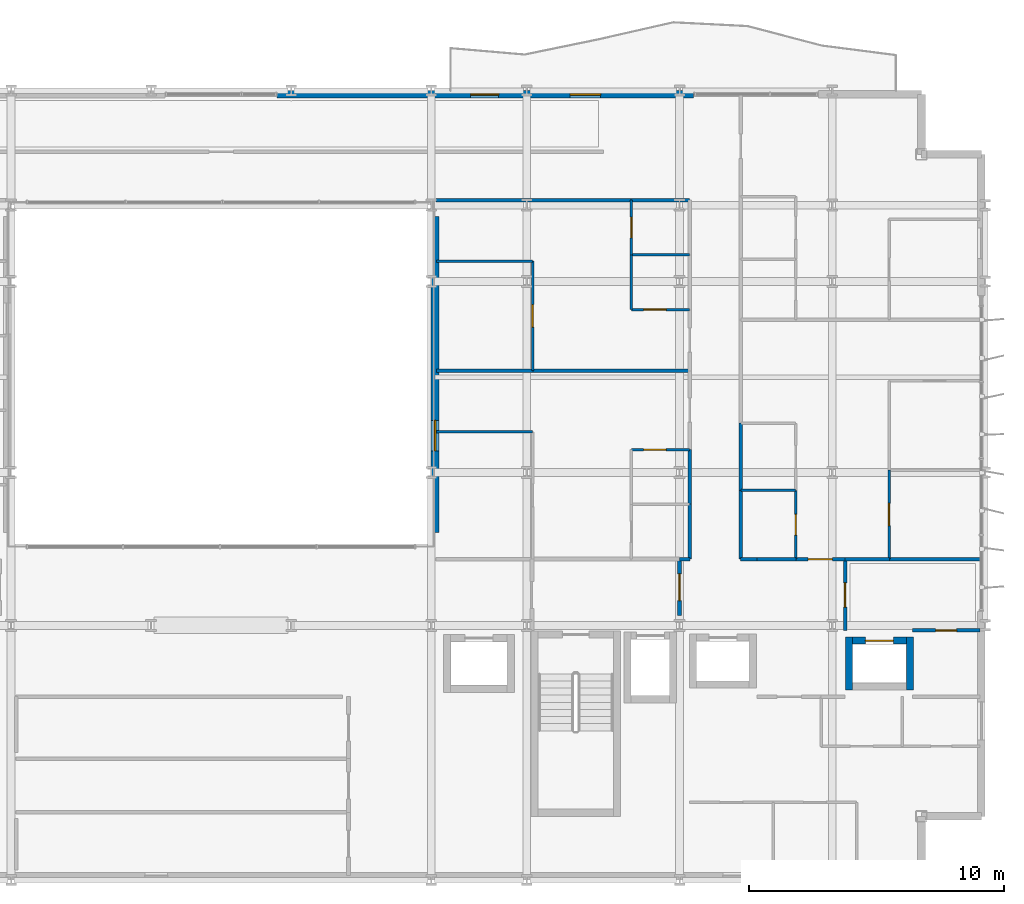
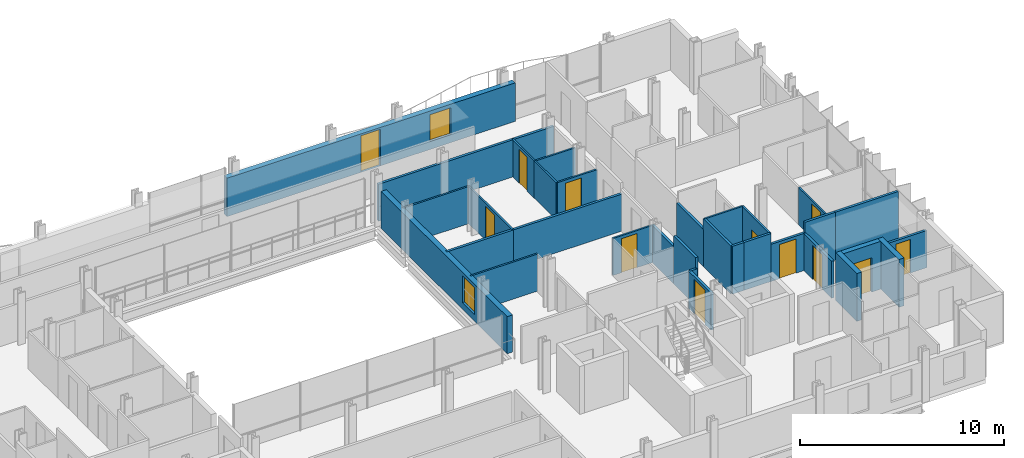
# One storey, part 31 of 38: 33 walls, 12 doors, 2 windows, 14 openings.
"""IFC4 building model written with IfcOpenShell, lengths in metres."""

from ifc_helpers import new_model, si_unit, direction, frame, frame_2d, origin, place, context, subcontext, project, spatial, rectangle, extrude, material, layer, layer_set, type_object, element, fill, save


model = new_model("IFC4")

# Units and contexts
model_context = context("Model", 3, precision=1e-05, world=origin(), true_north=direction((0.0, 1.0)))
body_context = subcontext(model_context, "Body", "Model", "MODEL_VIEW")
ifc_project = project(units=[si_unit("LENGTHUNIT", "METRE"), si_unit("AREAUNIT", "SQUARE_METRE"), si_unit("VOLUMEUNIT", "CUBIC_METRE"), si_unit("PLANEANGLEUNIT", "RADIAN"), si_unit("MASSUNIT", "GRAM", prefix="KILO")], contexts=[model_context])

# Site, building, storey
site_placement = place(None, origin())
site = spatial("IfcSite", under=ifc_project, at=site_placement, CompositionType="ELEMENT")
building_placement = place(site_placement, origin())
building = spatial("IfcBuilding", under=site, at=building_placement, Name="Brevholm Reach", CompositionType="ELEMENT")
storey_placement = place(building_placement, frame((0.0, 0.0, 59.0)))
storey = spatial("IfcBuildingStorey", under=building, at=storey_placement, Name="L16", CompositionType="ELEMENT", Elevation=59.0)

# Walls
ifc_material_1 = material(Name="Concrete C50/60", Category="concrete")
ifc_layer_1 = layer(ifc_material_1, 0.280029296875)
ifc_layer_set_1 = layer_set([ifc_layer_1], Name="Concrete C50/60")
wall_type_1 = type_object("IfcWallType", Name="WAL-COR-280", PredefinedType="SHEAR", material=ifc_layer_set_1)
for number, where, z_axis, x_axis, name in (
    (1, (54.64990234375, 7.4599609375, 0.0), (0.0, 0.0, 1.0), (0.0, 1.0, 0.0), "L16 Lift PL-L2 Shaft Wall W"),
    (2, (57.050048828125, 7.4599609375, 0.0), (0.0, 0.0, 1.0), (0.0, 1.0, 0.0), "L16 Lift PL-L2 Shaft Wall E"),
):
    element("IfcWall", number, at=place(storey_placement, frame(where, z_axis=z_axis, x_axis=x_axis)), inside=storey, type_object=wall_type_1, Name=name, PredefinedType="SHEAR", context=body_context, shape_type="SweptSolid", body=[
        extrude(rectangle(XDim=2.080078125, YDim=0.280029296875, at=frame_2d((1.0400390625, 0.0))), origin(), (0.0, 0.0, 1.0), 2.8701171875),
    ])

# Wall, opening, door
wall_1_placement = place(storey_placement, frame((54.7900390625, 9.39990234375, 0.0), z_axis=(0.0, 0.0, 1.0), x_axis=(1.0, 0.0, 0.0)))
wall_1 = element("IfcWall", 3, at=wall_1_placement, inside=storey, type_object=wall_type_1, Name="L16 Lift PL-L2 Shaft Wall N", PredefinedType="SHEAR", context=body_context, shape_type="SweptSolid", body=[
    extrude(rectangle(XDim=2.119873046875, YDim=0.280029296875, at=frame_2d((1.06005859375, 0.0))), origin(), (0.0, 0.0, 1.0), 2.8701171875),
])
opening_1_placement = place(wall_1_placement, frame((0.510009765625, 0.0, 0.0)))
opening_1 = element("IfcOpeningElement", 4, at=opening_1_placement, cuts=wall_1, Name="Opening LD-PL-L2", PredefinedType="OPENING", context=body_context, shape_type="SweptSolid", body=[
    extrude(rectangle(XDim=1.10009765625, YDim=2.06005859375, at=frame_2d((0.550048828125, 1.030029296875))), frame((0.0, 0.14990234375, 0.0), z_axis=(0.0, -1.0, 0.0), x_axis=(1.0, 0.0, 0.0)), (0.0, 0.0, 1.0), 0.300048828125),
])
ifc_material_2 = material(Name="Brushed Stainless Steel Fire-Rated Sliding Lift Door", Category="steel")
door_type_1 = type_object("IfcDoorType", Name="DOR-LFT-1100", OperationType="NOTDEFINED", PredefinedType="DOOR", material=ifc_material_2)
door_1_placement = place(opening_1_placement, origin())
door_1 = element("IfcDoor", 5, at=door_1_placement, inside=storey, type_object=door_type_1, Name="L16 Lift PL-L2 Sliding Landing Door", OperationType="SLIDING_TO_LEFT", OverallHeight=2.06005859375, OverallWidth=1.10009765625, PredefinedType="DOOR", context=body_context, shape_type="SweptSolid", body=[
    extrude(rectangle(XDim=1.10009765625, YDim=2.06005859375, at=frame_2d((0.550048828125, 1.030029296875))), frame((0.0, 0.02490234375, 0.0), z_axis=(0.0, -1.0, 0.0), x_axis=(1.0, 0.0, 0.0)), (0.0, 0.0, 1.0), 0.050048828125),
])
fill(opening_1, door_1)

# Wall, openings, door, window
ifc_material_3 = material(Name="Concrete C40/50", Category="concrete")
ifc_layer_2 = layer(ifc_material_3, 0.300048828125)
ifc_layer_set_2 = layer_set([ifc_layer_2], Name="Concrete C40/50")
wall_type_2 = type_object("IfcWallType", Name="WAL-EXT-300", PredefinedType="STANDARD", material=ifc_layer_set_2)
wall_2_placement = place(storey_placement, frame((32.199951171875, 30.85009765625, 0.0), z_axis=(0.0, 0.0, 1.0), x_axis=(1.0, 0.0, 0.0)))
wall_2 = element("IfcWall", 6, at=wall_2_placement, inside=storey, type_object=wall_type_2, Name="L16 Facade Wall WAL-L16-NP-ER", PredefinedType="STANDARD", context=body_context, shape_type="SweptSolid", body=[
    extrude(rectangle(XDim=16.35009765625, YDim=0.300048828125, at=frame_2d((8.175048828125, 0.0))), origin(), (0.0, 0.0, 1.0), 2.305419921875),
])
opening_2_placement = place(wall_2_placement, frame((7.60009765625, 0.0, 0.0)))
opening_2 = element("IfcOpeningElement", 7, at=opening_2_placement, cuts=wall_2, Name="Opening BD-01", PredefinedType="OPENING", context=body_context, shape_type="SweptSolid", body=[
    extrude(rectangle(XDim=1.10009765625, YDim=2.199951171875, at=frame_2d((0.550048828125, 1.10009765625))), frame((0.0, 0.159912109375, 0.0), z_axis=(0.0, -1.0, 0.0), x_axis=(1.0, 0.0, 0.0)), (0.0, 0.0, 1.0), 0.320068359375),
])
opening_3_placement = place(wall_2_placement, frame((11.5, 0.0, 0.486083984375)))
opening_3 = element("IfcOpeningElement", 8, at=opening_3_placement, cuts=wall_2, Name="Opening WN-08", PredefinedType="OPENING", context=body_context, shape_type="SweptSolid", body=[
    extrude(rectangle(XDim=1.199951171875, YDim=1.60009765625, at=frame_2d((0.60009765625, 0.800048828125))), frame((0.0, 0.159912109375, 0.0), z_axis=(0.0, -1.0, 0.0), x_axis=(1.0, 0.0, 0.0)), (0.0, 0.0, 1.0), 0.320068359375),
])
ifc_material_4 = material(Name="Dark Anodised Aluminium and Triple-Glazed Glass", Category="aluminium")
door_type_2 = type_object("IfcDoorType", Name="DOR-BALC-1100", OperationType="NOTDEFINED", PredefinedType="DOOR", material=ifc_material_4)
door_2_placement = place(opening_2_placement, origin())
door_2 = element("IfcDoor", 9, at=door_2_placement, inside=storey, type_object=door_type_2, Name="L16 Exterior Door DOR-L16-BL-NE", OperationType="SINGLE_SWING_RIGHT", OverallHeight=2.199951171875, OverallWidth=1.10009765625, PredefinedType="DOOR", context=body_context, shape_type="SweptSolid", body=[
    extrude(rectangle(XDim=1.10009765625, YDim=2.199951171875, at=frame_2d((0.550048828125, 1.10009765625))), frame((0.0, 0.02490234375, 0.0), z_axis=(0.0, -1.0, 0.0), x_axis=(1.0, 0.0, 0.0)), (0.0, 0.0, 1.0), 0.050048828125),
])
fill(opening_2, door_2)
ifc_material_5 = material(Name="Dark Anodised Aluminium and Solar-Control IGU Glass", Category="aluminium")
window_type = type_object("IfcWindowType", Name="WIN-RES-1200", PartitioningType="SINGLE_PANEL", PredefinedType="WINDOW", material=ifc_material_5)
window_1_placement = place(opening_3_placement, origin())
window_1 = element("IfcWindow", 10, at=window_1_placement, inside=storey, type_object=window_type, Name="L16 Window WIN-L16-NP-ER1", OverallHeight=1.60009765625, OverallWidth=1.199951171875, PartitioningType="SINGLE_PANEL", PredefinedType="WINDOW", context=body_context, shape_type="SweptSolid", body=[
    extrude(rectangle(XDim=1.199951171875, YDim=1.60009765625, at=frame_2d((0.60009765625, 0.800048828125))), frame((0.0, 0.030029296875, 0.0), z_axis=(0.0, -1.0, 0.0), x_axis=(1.0, 0.0, 0.0)), (0.0, 0.0, 1.0), 0.06005859375),
])
fill(opening_3, window_1)

# Wall, opening, window
wall_3_placement = place(storey_placement, frame((38.39990234375, 13.64990234375, 0.0), z_axis=(0.0, 0.0, 1.0), x_axis=(0.0, 1.0, 0.0)))
wall_3 = element("IfcWall", 11, at=wall_3_placement, inside=storey, type_object=wall_type_2, Name="L16 Facade Wall WAL-L16-AT-E", PredefinedType="STANDARD", context=body_context, shape_type="SweptSolid", body=[
    extrude(rectangle(XDim=12.400146484375, YDim=0.300048828125, at=frame_2d((6.2001953125, 0.0))), origin(), (0.0, 0.0, 1.0), 2.224853515625),
])
opening_4_placement = place(wall_3_placement, frame((3.199951171875, 0.0, 0.405029296875)))
opening_4 = element("IfcOpeningElement", 12, at=opening_4_placement, cuts=wall_3, Name="Opening WN-08", PredefinedType="OPENING", context=body_context, shape_type="SweptSolid", body=[
    extrude(rectangle(XDim=1.199951171875, YDim=1.60009765625, at=frame_2d((0.60009765625, 0.800048828125))), frame((0.0, 0.159912109375, 0.0), z_axis=(0.0, -1.0, 0.0), x_axis=(1.0, 0.0, 0.0)), (0.0, 0.0, 1.0), 0.320068359375),
])
window_2_placement = place(opening_4_placement, origin())
window_2 = element("IfcWindow", 13, at=window_2_placement, inside=storey, type_object=window_type, Name="L16 Window WIN-L16-AT-E1", OverallHeight=1.60009765625, OverallWidth=1.199951171875, PartitioningType="SINGLE_PANEL", PredefinedType="WINDOW", context=body_context, shape_type="SweptSolid", body=[
    extrude(rectangle(XDim=1.199951171875, YDim=1.60009765625, at=frame_2d((0.60009765625, 0.800048828125))), frame((0.0, 0.030029296875, 0.0), z_axis=(0.0, -1.0, 0.0), x_axis=(1.0, 0.0, 0.0)), (0.0, 0.0, 1.0), 0.06005859375),
])
fill(opening_4, window_2)

# Wall, opening, door
ifc_material_6 = material(Name="Moisture-Resistant Acoustic Gypsum Stud Partition 100 mm", Category="gypsum")
ifc_layer_3 = layer(ifc_material_6, 0.10009765625)
ifc_layer_set_3 = layer_set([ifc_layer_3], Name="Moisture-Resistant Acoustic Gypsum Stud Partition 100 mm")
wall_type_3 = type_object("IfcWallType", Name="WAL-PRT-100", PredefinedType="PARTITIONING", material=ifc_layer_set_3)
wall_4_placement = place(storey_placement, frame((46.112060546875, 16.89990234375, 0.0), z_axis=(0.0, 0.0, 1.0), x_axis=(1.0, 0.0, 0.0)))
wall_4 = element("IfcWall", 14, at=wall_4_placement, inside=storey, type_object=wall_type_3, Name="L16 Internal Partition 119", PredefinedType="PARTITIONING", context=body_context, shape_type="SweptSolid", body=[
    extrude(rectangle(XDim=2.283935546875, YDim=0.10009765625, at=frame_2d((1.14208984375, 0.0))), origin(), (0.0, 0.0, 1.0), 2.224853515625),
])
opening_5_placement = place(wall_4_placement, frame((0.48193359375, 0.0, 0.0)))
opening_5 = element("IfcOpeningElement", 15, at=opening_5_placement, cuts=wall_4, Name="Opening ID-01", PredefinedType="OPENING", context=body_context, shape_type="SweptSolid", body=[
    extrude(rectangle(XDim=0.8798828125, YDim=2.0400390625, at=frame_2d((0.43994140625, 1.02001953125))), frame((0.0, 0.06005859375, 0.0), z_axis=(0.0, -1.0, 0.0), x_axis=(1.0, 0.0, 0.0)), (0.0, 0.0, 1.0), 0.1201171875),
])
ifc_material_7 = material(Name="Lacquered Ash Solid-Core Acoustic Internal Door", Category="timber")
door_type_3 = type_object("IfcDoorType", Name="DOR-INT-880", OperationType="NOTDEFINED", PredefinedType="DOOR", material=ifc_material_7)
door_3_placement = place(opening_5_placement, origin())
door_3 = element("IfcDoor", 16, at=door_3_placement, inside=storey, type_object=door_type_3, Name="L16 Internal Door 046", OperationType="SINGLE_SWING_RIGHT", OverallHeight=2.0400390625, OverallWidth=0.8798828125, PredefinedType="DOOR", context=body_context, shape_type="SweptSolid", body=[
    extrude(rectangle(XDim=0.8798828125, YDim=2.0400390625, at=frame_2d((0.43994140625, 1.02001953125))), frame((0.0, 0.02490234375, 0.0), z_axis=(0.0, -1.0, 0.0), x_axis=(1.0, 0.0, 0.0)), (0.0, 0.0, 1.0), 0.050048828125),
])
fill(opening_5, door_3)

# Walls
wall_5_placement = place(storey_placement, frame((38.449951171875, 17.60009765625, 0.0), z_axis=(0.0, 0.0, 1.0), x_axis=(1.0, 0.0, 0.0)))
element("IfcWall", 17, at=wall_5_placement, inside=storey, type_object=wall_type_3, Name="L16 Internal Partition 122", PredefinedType="PARTITIONING", context=body_context, shape_type="SweptSolid", body=[
    extrude(rectangle(XDim=3.781005859375, YDim=0.10009765625, at=frame_2d((1.890625, 0.0))), origin(), (0.0, 0.0, 1.0), 2.224853515625),
])
wall_6_placement = place(storey_placement, frame((46.112060546875, 24.550048828125, 0.0), z_axis=(0.0, 0.0, 1.0), x_axis=(1.0, 0.0, 0.0)))
element("IfcWall", 18, at=wall_6_placement, inside=storey, type_object=wall_type_3, Name="L16 Internal Partition 125", PredefinedType="PARTITIONING", context=body_context, shape_type="SweptSolid", body=[
    extrude(rectangle(XDim=2.283935546875, YDim=0.10009765625, at=frame_2d((1.14208984375, 0.0))), origin(), (0.0, 0.0, 1.0), 2.224853515625),
])

# Wall, opening, door
wall_7_placement = place(storey_placement, frame((46.112060546875, 24.550048828125, 0.0), z_axis=(0.0, 0.0, 1.0), x_axis=(0.0, 1.0, 0.0)))
wall_7 = element("IfcWall", 19, at=wall_7_placement, inside=storey, type_object=wall_type_3, Name="L16 Internal Partition 126", PredefinedType="PARTITIONING", context=body_context, shape_type="SweptSolid", body=[
    extrude(rectangle(XDim=2.14599609375, YDim=0.10009765625, at=frame_2d((1.072998046875, 0.0))), origin(), (0.0, 0.0, 1.0), 2.224853515625),
])
opening_6_placement = place(wall_7_placement, frame((0.6630859375, 0.0, 0.0)))
opening_6 = element("IfcOpeningElement", 20, at=opening_6_placement, cuts=wall_7, Name="Opening ID-03", PredefinedType="OPENING", context=body_context, shape_type="SweptSolid", body=[
    extrude(rectangle(XDim=0.820068359375, YDim=2.02001953125, at=frame_2d((0.41015625, 1.010009765625))), frame((0.0, 0.06005859375, 0.0), z_axis=(0.0, -1.0, 0.0), x_axis=(1.0, 0.0, 0.0)), (0.0, 0.0, 1.0), 0.1201171875),
])
ifc_material_8 = material(Name="Moisture-Resistant Painted Timber Internal Bathroom Door", Category="wood")
door_type_4 = type_object("IfcDoorType", Name="DOR-BATH-820", OperationType="NOTDEFINED", PredefinedType="DOOR", material=ifc_material_8)
door_4_placement = place(opening_6_placement, origin())
door_4 = element("IfcDoor", 21, at=door_4_placement, inside=storey, type_object=door_type_4, Name="L16 Internal Door 048", OperationType="SINGLE_SWING_RIGHT", OverallHeight=2.02001953125, OverallWidth=0.820068359375, PredefinedType="DOOR", context=body_context, shape_type="SweptSolid", body=[
    extrude(rectangle(XDim=0.820068359375, YDim=2.02001953125, at=frame_2d((0.41015625, 1.010009765625))), frame((0.0, 0.02490234375, 0.0), z_axis=(0.0, -1.0, 0.0), x_axis=(1.0, 0.0, 0.0)), (0.0, 0.0, 1.0), 0.050048828125),
])
fill(opening_6, door_4)

wall_8_placement = place(storey_placement, frame((46.112060546875, 22.39990234375, 0.0), z_axis=(0.0, 0.0, 1.0), x_axis=(1.0, 0.0, 0.0)))
wall_8 = element("IfcWall", 22, at=wall_8_placement, inside=storey, type_object=wall_type_3, Name="L16 Internal Partition 127", PredefinedType="PARTITIONING", context=body_context, shape_type="SweptSolid", body=[
    extrude(rectangle(XDim=2.283935546875, YDim=0.10009765625, at=frame_2d((1.14208984375, 0.0))), origin(), (0.0, 0.0, 1.0), 2.224853515625),
])
opening_7_placement = place(wall_8_placement, frame((0.48193359375, 0.0, 0.0)))
opening_7 = element("IfcOpeningElement", 23, at=opening_7_placement, cuts=wall_8, Name="Opening ID-01", PredefinedType="OPENING", context=body_context, shape_type="SweptSolid", body=[
    extrude(rectangle(XDim=0.8798828125, YDim=2.0400390625, at=frame_2d((0.43994140625, 1.02001953125))), frame((0.0, 0.06005859375, 0.0), z_axis=(0.0, -1.0, 0.0), x_axis=(1.0, 0.0, 0.0)), (0.0, 0.0, 1.0), 0.1201171875),
])
door_5_placement = place(opening_7_placement, origin())
door_5 = element("IfcDoor", 24, at=door_5_placement, inside=storey, type_object=door_type_3, Name="L16 Internal Door 049", OperationType="SINGLE_SWING_LEFT", OverallHeight=2.0400390625, OverallWidth=0.8798828125, PredefinedType="DOOR", context=body_context, shape_type="SweptSolid", body=[
    extrude(rectangle(XDim=0.8798828125, YDim=2.0400390625, at=frame_2d((0.43994140625, 1.02001953125))), frame((0.0, 0.02490234375, 0.0), z_axis=(0.0, -1.0, 0.0), x_axis=(1.0, 0.0, 0.0)), (0.0, 0.0, 1.0), 0.050048828125),
])
fill(opening_7, door_5)

# Wall
wall_9_placement = place(storey_placement, frame((46.112060546875, 22.39990234375, 0.0), z_axis=(0.0, 0.0, 1.0), x_axis=(0.0, 1.0, 0.0)))
element("IfcWall", 25, at=wall_9_placement, inside=storey, type_object=wall_type_3, Name="L16 Internal Partition 128", PredefinedType="PARTITIONING", context=body_context, shape_type="SweptSolid", body=[
    extrude(rectangle(XDim=2.14599609375, YDim=0.10009765625, at=frame_2d((1.072998046875, 0.0))), origin(), (0.0, 0.0, 1.0), 2.224853515625),
])

# Wall, opening, door
wall_10_placement = place(storey_placement, frame((42.23095703125, 20.00390625, 0.0), z_axis=(0.0, 0.0, 1.0), x_axis=(0.0, 1.0, 0.0)))
wall_10 = element("IfcWall", 26, at=wall_10_placement, inside=storey, type_object=wall_type_3, Name="L16 Internal Partition 129", PredefinedType="PARTITIONING", context=body_context, shape_type="SweptSolid", body=[
    extrude(rectangle(XDim=4.296142578125, YDim=0.10009765625, at=frame_2d((2.14794921875, 0.0))), origin(), (0.0, 0.0, 1.0), 2.224853515625),
])
opening_8_placement = place(wall_10_placement, frame((1.7080078125, 0.0, 0.0)))
opening_8 = element("IfcOpeningElement", 27, at=opening_8_placement, cuts=wall_10, Name="Opening ID-01", PredefinedType="OPENING", context=body_context, shape_type="SweptSolid", body=[
    extrude(rectangle(XDim=0.8798828125, YDim=2.0400390625, at=frame_2d((0.43994140625, 1.02001953125))), frame((0.0, 0.06005859375, 0.0), z_axis=(0.0, -1.0, 0.0), x_axis=(1.0, 0.0, 0.0)), (0.0, 0.0, 1.0), 0.1201171875),
])
door_6_placement = place(opening_8_placement, origin())
door_6 = element("IfcDoor", 28, at=door_6_placement, inside=storey, type_object=door_type_3, Name="L16 Internal Door 050", OperationType="SINGLE_SWING_RIGHT", OverallHeight=2.0400390625, OverallWidth=0.8798828125, PredefinedType="DOOR", context=body_context, shape_type="SweptSolid", body=[
    extrude(rectangle(XDim=0.8798828125, YDim=2.0400390625, at=frame_2d((0.43994140625, 1.02001953125))), frame((0.0, 0.02490234375, 0.0), z_axis=(0.0, -1.0, 0.0), x_axis=(1.0, 0.0, 0.0)), (0.0, 0.0, 1.0), 0.050048828125),
])
fill(opening_8, door_6)

# Walls
wall_11_placement = place(storey_placement, frame((38.449951171875, 24.300048828125, 0.0), z_axis=(0.0, 0.0, 1.0), x_axis=(1.0, 0.0, 0.0)))
element("IfcWall", 29, at=wall_11_placement, inside=storey, type_object=wall_type_3, Name="L16 Internal Partition 130", PredefinedType="PARTITIONING", context=body_context, shape_type="SweptSolid", body=[
    extrude(rectangle(XDim=3.781005859375, YDim=0.10009765625, at=frame_2d((1.890625, 0.0))), origin(), (0.0, 0.0, 1.0), 2.224853515625),
])
wall_12_placement = place(storey_placement, frame((50.404052734375, 15.298095703125, 0.0), z_axis=(0.0, 0.0, 1.0), x_axis=(1.0, 0.0, 0.0)))
element("IfcWall", 30, at=wall_12_placement, inside=storey, type_object=wall_type_3, Name="L16 Internal Partition 131", PredefinedType="PARTITIONING", context=body_context, shape_type="SweptSolid", body=[
    extrude(rectangle(XDim=2.157958984375, YDim=0.10009765625, at=frame_2d((1.0791015625, 0.0))), origin(), (0.0, 0.0, 1.0), 2.8701171875),
])

# Wall, opening, door
wall_13_placement = place(storey_placement, frame((52.56201171875, 12.60400390625, 0.0), z_axis=(0.0, 0.0, 1.0), x_axis=(0.0, 1.0, 0.0)))
wall_13 = element("IfcWall", 31, at=wall_13_placement, inside=storey, type_object=wall_type_3, Name="L16 Internal Partition 132", PredefinedType="PARTITIONING", context=body_context, shape_type="SweptSolid", body=[
    extrude(rectangle(XDim=2.694091796875, YDim=0.10009765625, at=frame_2d((1.34716796875, 0.0))), origin(), (0.0, 0.0, 1.0), 2.8701171875),
])
opening_9_placement = place(wall_13_placement, frame((0.93701171875, 0.0, 0.0)))
opening_9 = element("IfcOpeningElement", 32, at=opening_9_placement, cuts=wall_13, Name="Opening ID-03", PredefinedType="OPENING", context=body_context, shape_type="SweptSolid", body=[
    extrude(rectangle(XDim=0.820068359375, YDim=2.02001953125, at=frame_2d((0.41015625, 1.010009765625))), frame((0.0, 0.06005859375, 0.0), z_axis=(0.0, -1.0, 0.0), x_axis=(1.0, 0.0, 0.0)), (0.0, 0.0, 1.0), 0.1201171875),
])
door_7_placement = place(opening_9_placement, origin())
door_7 = element("IfcDoor", 33, at=door_7_placement, inside=storey, type_object=door_type_4, Name="L16 Internal Door 051", OperationType="SINGLE_SWING_LEFT", OverallHeight=2.02001953125, OverallWidth=0.820068359375, PredefinedType="DOOR", context=body_context, shape_type="SweptSolid", body=[
    extrude(rectangle(XDim=0.820068359375, YDim=2.02001953125, at=frame_2d((0.41015625, 1.010009765625))), frame((0.0, 0.02490234375, 0.0), z_axis=(0.0, -1.0, 0.0), x_axis=(1.0, 0.0, 0.0)), (0.0, 0.0, 1.0), 0.050048828125),
])
fill(opening_9, door_7)

wall_14_placement = place(storey_placement, frame((56.22802734375, 12.60400390625, 0.0), z_axis=(0.0, 0.0, 1.0), x_axis=(0.0, 1.0, 0.0)))
wall_14 = element("IfcWall", 34, at=wall_14_placement, inside=storey, type_object=wall_type_3, Name="L16 Internal Partition 136", PredefinedType="PARTITIONING", context=body_context, shape_type="SweptSolid", body=[
    extrude(rectangle(XDim=3.49609375, YDim=0.10009765625, at=frame_2d((1.748046875, 0.0))), origin(), (0.0, 0.0, 1.0), 2.224853515625),
])
opening_10_placement = place(wall_14_placement, frame((1.30810546875, 0.0, 0.0)))
opening_10 = element("IfcOpeningElement", 35, at=opening_10_placement, cuts=wall_14, Name="Opening ID-01", PredefinedType="OPENING", context=body_context, shape_type="SweptSolid", body=[
    extrude(rectangle(XDim=0.8798828125, YDim=2.0400390625, at=frame_2d((0.43994140625, 1.02001953125))), frame((0.0, 0.06005859375, 0.0), z_axis=(0.0, -1.0, 0.0), x_axis=(1.0, 0.0, 0.0)), (0.0, 0.0, 1.0), 0.1201171875),
])
door_8_placement = place(opening_10_placement, origin())
door_8 = element("IfcDoor", 36, at=door_8_placement, inside=storey, type_object=door_type_3, Name="L16 Internal Door 053", OperationType="SINGLE_SWING_LEFT", OverallHeight=2.0400390625, OverallWidth=0.8798828125, PredefinedType="DOOR", context=body_context, shape_type="SweptSolid", body=[
    extrude(rectangle(XDim=0.8798828125, YDim=2.0400390625, at=frame_2d((0.43994140625, 1.02001953125))), frame((0.0, 0.02490234375, 0.0), z_axis=(0.0, -1.0, 0.0), x_axis=(1.0, 0.0, 0.0)), (0.0, 0.0, 1.0), 0.050048828125),
])
fill(opening_10, door_8)

ifc_material_9 = material(Name="Twin-Stud Acoustic Fire-Rated Gypsum Partition 140 mm", Category="gypsum")
ifc_layer_4 = layer(ifc_material_9, 0.139892578125)
ifc_layer_set_4 = layer_set([ifc_layer_4], Name="Twin-Stud Acoustic Fire-Rated Gypsum Partition 140 mm")
wall_type_4 = type_object("IfcWallType", Name="WAL-PRT-140", PredefinedType="PARTITIONING", material=ifc_layer_set_4)
wall_15_placement = place(storey_placement, frame((54.5, 9.788818359375, 0.0), z_axis=(0.0, 0.0, 1.0), x_axis=(0.0, 1.0, 0.0)))
wall_15 = element("IfcWall", 37, at=wall_15_placement, inside=storey, type_object=wall_type_4, Name="L16 Internal Partition 008", PredefinedType="PARTITIONING", context=body_context, shape_type="SweptSolid", body=[
    extrude(rectangle(XDim=2.811279296875, YDim=0.139892578125, at=frame_2d((1.40576171875, 0.0))), origin(), (0.0, 0.0, 1.0), 2.224853515625),
])
opening_11_placement = place(wall_15_placement, frame((0.9306640625, 0.0, 0.0)))
opening_11 = element("IfcOpeningElement", 38, at=opening_11_placement, cuts=wall_15, Name="Opening ID-30", PredefinedType="OPENING", context=body_context, shape_type="SweptSolid", body=[
    extrude(rectangle(XDim=0.949951171875, YDim=2.050048828125, at=frame_2d((0.47509765625, 1.02490234375))), frame((0.0, 0.079833984375, 0.0), z_axis=(0.0, -1.0, 0.0), x_axis=(1.0, 0.0, 0.0)), (0.0, 0.0, 1.0), 0.159912109375),
])
ifc_material_10 = material(Name="European Oak Veneered Solid-Core Fire Entrance Door", Category="timber")
door_type_5 = type_object("IfcDoorType", Name="DOR-FLT-FD30S", OperationType="NOTDEFINED", PredefinedType="DOOR", material=ifc_material_10)
door_9_placement = place(opening_11_placement, origin())
door_9 = element("IfcDoor", 39, at=door_9_placement, inside=storey, type_object=door_type_5, Name="L16 Internal Door 006", OperationType="SINGLE_SWING_RIGHT", OverallHeight=2.050048828125, OverallWidth=0.949951171875, PredefinedType="DOOR", context=body_context, shape_type="SweptSolid", body=[
    extrude(rectangle(XDim=0.949951171875, YDim=2.050048828125, at=frame_2d((0.47509765625, 1.02490234375))), frame((0.0, 0.02490234375, 0.0), z_axis=(0.0, -1.0, 0.0), x_axis=(1.0, 0.0, 0.0)), (0.0, 0.0, 1.0), 0.050048828125),
])
fill(opening_11, door_9)

# Wall
wall_16_placement = place(storey_placement, frame((51.050048828125, 12.60009765625, 0.0), z_axis=(0.0, 0.0, 1.0), x_axis=(1.0, 0.0, 0.0)))
element("IfcWall", 40, at=wall_16_placement, inside=storey, type_object=wall_type_4, Name="L16 Internal Partition 011", PredefinedType="PARTITIONING", context=body_context, shape_type="SweptSolid", body=[
    extrude(rectangle(XDim=1.523193359375, YDim=0.139892578125, at=frame_2d((0.76171875, 0.0))), origin(), (0.0, 0.0, 1.0), 2.8701171875),
])

# Wall, opening, door
wall_17_placement = place(storey_placement, frame((52.5546875, 12.60009765625, 0.0), z_axis=(0.0, 0.0, 1.0), x_axis=(1.0, 0.0, 0.0)))
wall_17 = element("IfcWall", 41, at=wall_17_placement, inside=storey, type_object=wall_type_4, Name="L16 Internal Partition 012", PredefinedType="PARTITIONING", context=body_context, shape_type="SweptSolid", body=[
    extrude(rectangle(XDim=1.9453125, YDim=0.139892578125, at=frame_2d((0.97265625, 0.0))), origin(), (0.0, 0.0, 1.0), 2.224853515625),
])
opening_12_placement = place(wall_17_placement, frame((0.497802734375, 0.0, 0.0)))
opening_12 = element("IfcOpeningElement", 42, at=opening_12_placement, cuts=wall_17, Name="Opening ID-30", PredefinedType="OPENING", context=body_context, shape_type="SweptSolid", body=[
    extrude(rectangle(XDim=0.949951171875, YDim=2.050048828125, at=frame_2d((0.47509765625, 1.02490234375))), frame((0.0, 0.079833984375, 0.0), z_axis=(0.0, -1.0, 0.0), x_axis=(1.0, 0.0, 0.0)), (0.0, 0.0, 1.0), 0.159912109375),
])
door_10_placement = place(opening_12_placement, origin())
door_10 = element("IfcDoor", 43, at=door_10_placement, inside=storey, type_object=door_type_5, Name="L16 Internal Door 008", OperationType="SINGLE_SWING_RIGHT", OverallHeight=2.050048828125, OverallWidth=0.949951171875, PredefinedType="DOOR", context=body_context, shape_type="SweptSolid", body=[
    extrude(rectangle(XDim=0.949951171875, YDim=2.050048828125, at=frame_2d((0.47509765625, 1.02490234375))), frame((0.0, 0.02490234375, 0.0), z_axis=(0.0, -1.0, 0.0), x_axis=(1.0, 0.0, 0.0)), (0.0, 0.0, 1.0), 0.050048828125),
])
fill(opening_12, door_10)

# Walls
wall_18_placement = place(storey_placement, frame((48.00390625, 12.60009765625, 0.0), z_axis=(0.0, 0.0, 1.0), x_axis=(1.0, 0.0, 0.0)))
element("IfcWall", 44, at=wall_18_placement, inside=storey, type_object=wall_type_4, Name="L16 Internal Partition 030", PredefinedType="PARTITIONING", context=body_context, shape_type="SweptSolid", body=[
    extrude(rectangle(XDim=0.4033203125, YDim=0.139892578125, at=frame_2d((0.20166015625, 0.0))), origin(), (0.0, 0.0, 1.0), 2.224853515625),
])
wall_19_placement = place(storey_placement, frame((50.392578125, 12.60009765625, 0.0), z_axis=(0.0, 0.0, 1.0), x_axis=(1.0, 0.0, 0.0)))
element("IfcWall", 45, at=wall_19_placement, inside=storey, type_object=wall_type_4, Name="L16 Internal Partition 031", PredefinedType="PARTITIONING", context=body_context, shape_type="SweptSolid", body=[
    extrude(rectangle(XDim=0.6533203125, YDim=0.139892578125, at=frame_2d((0.32666015625, 0.0))), origin(), (0.0, 0.0, 1.0), 2.8701171875),
])
wall_20_placement = place(storey_placement, frame((48.39990234375, 12.60400390625, 0.0), z_axis=(0.0, 0.0, 1.0), x_axis=(0.0, 1.0, 0.0)))
element("IfcWall", 46, at=wall_20_placement, inside=storey, type_object=wall_type_4, Name="L16 Internal Partition 042", PredefinedType="PARTITIONING", context=body_context, shape_type="SweptSolid", body=[
    extrude(rectangle(XDim=2.1572265625, YDim=0.139892578125, at=frame_2d((1.07861328125, 0.0))), origin(), (0.0, 0.0, 1.0), 2.8701171875),
])
wall_21_placement = place(storey_placement, frame((48.39990234375, 14.74267578125, 0.0), z_axis=(0.0, 0.0, 1.0), x_axis=(0.0, 1.0, 0.0)))
element("IfcWall", 47, at=wall_21_placement, inside=storey, type_object=wall_type_4, Name="L16 Internal Partition 043", PredefinedType="PARTITIONING", context=body_context, shape_type="SweptSolid", body=[
    extrude(rectangle(XDim=2.168701171875, YDim=0.139892578125, at=frame_2d((1.08447265625, 0.0))), origin(), (0.0, 0.0, 1.0), 2.224853515625),
])
wall_22_placement = place(storey_placement, frame((50.39990234375, 12.60400390625, 0.0), z_axis=(0.0, 0.0, 1.0), x_axis=(0.0, 1.0, 0.0)))
element("IfcWall", 48, at=wall_22_placement, inside=storey, type_object=wall_type_4, Name="L16 Internal Partition 048", PredefinedType="PARTITIONING", context=body_context, shape_type="SweptSolid", body=[
    extrude(rectangle(XDim=2.705322265625, YDim=0.139892578125, at=frame_2d((1.3525390625, 0.0))), origin(), (0.0, 0.0, 1.0), 2.8701171875),
])
wall_23_placement = place(storey_placement, frame((50.39990234375, 15.290771484375, 0.0), z_axis=(0.0, 0.0, 1.0), x_axis=(0.0, 1.0, 0.0)))
element("IfcWall", 49, at=wall_23_placement, inside=storey, type_object=wall_type_4, Name="L16 Internal Partition 049", PredefinedType="PARTITIONING", context=body_context, shape_type="SweptSolid", body=[
    extrude(rectangle(XDim=2.650634765625, YDim=0.139892578125, at=frame_2d((1.3251953125, 0.0))), origin(), (0.0, 0.0, 1.0), 2.224853515625),
])
wall_24_placement = place(storey_placement, frame((46.1005859375, 26.699951171875, 0.0), z_axis=(0.0, 0.0, 1.0), x_axis=(1.0, 0.0, 0.0)))
element("IfcWall", 50, at=wall_24_placement, inside=storey, type_object=wall_type_4, Name="L16 Internal Partition 056", PredefinedType="PARTITIONING", context=body_context, shape_type="SweptSolid", body=[
    extrude(rectangle(XDim=2.29541015625, YDim=0.139892578125, at=frame_2d((1.147705078125, 0.0))), origin(), (0.0, 0.0, 1.0), 2.224853515625),
])
wall_25_placement = place(storey_placement, frame((38.438720703125, 26.699951171875, 0.0), z_axis=(0.0, 0.0, 1.0), x_axis=(1.0, 0.0, 0.0)))
element("IfcWall", 51, at=wall_25_placement, inside=storey, type_object=wall_type_4, Name="L16 Internal Partition 057", PredefinedType="PARTITIONING", context=body_context, shape_type="SweptSolid", body=[
    extrude(rectangle(XDim=7.6806640625, YDim=0.139892578125, at=frame_2d((3.84033203125, 0.0))), origin(), (0.0, 0.0, 1.0), 2.224853515625),
])

# Wall, opening, door
wall_26_placement = place(storey_placement, frame((57.138671875, 9.800048828125, 0.0), z_axis=(0.0, 0.0, 1.0), x_axis=(1.0, 0.0, 0.0)))
wall_26 = element("IfcWall", 52, at=wall_26_placement, inside=storey, type_object=wall_type_4, Name="L16 Internal Partition 072", PredefinedType="PARTITIONING", context=body_context, shape_type="SweptSolid", body=[
    extrude(rectangle(XDim=2.661376953125, YDim=0.139892578125, at=frame_2d((1.33056640625, 0.0))), origin(), (0.0, 0.0, 1.0), 2.224853515625),
])
opening_13_placement = place(wall_26_placement, frame((0.920654296875, 0.0, 0.0)))
opening_13 = element("IfcOpeningElement", 53, at=opening_13_placement, cuts=wall_26, Name="Opening ID-02", PredefinedType="OPENING", context=body_context, shape_type="SweptSolid", body=[
    extrude(rectangle(XDim=0.820068359375, YDim=2.02001953125, at=frame_2d((0.41015625, 1.010009765625))), frame((0.0, 0.079833984375, 0.0), z_axis=(0.0, -1.0, 0.0), x_axis=(1.0, 0.0, 0.0)), (0.0, 0.0, 1.0), 0.159912109375),
])
ifc_material_11 = material(Name="Moisture-Resistant Painted Timber Fire-Rated Riser and Service Door", Category="wood")
door_type_6 = type_object("IfcDoorType", Name="DOR-SRV-820", OperationType="NOTDEFINED", PredefinedType="DOOR", material=ifc_material_11)
door_11_placement = place(opening_13_placement, origin())
door_11 = element("IfcDoor", 54, at=door_11_placement, inside=storey, type_object=door_type_6, Name="L16 Access Door 058", OperationType="SINGLE_SWING_RIGHT", OverallHeight=2.02001953125, OverallWidth=0.820068359375, PredefinedType="DOOR", context=body_context, shape_type="SweptSolid", body=[
    extrude(rectangle(XDim=0.820068359375, YDim=2.02001953125, at=frame_2d((0.41015625, 1.010009765625))), frame((0.0, 0.02490234375, 0.0), z_axis=(0.0, -1.0, 0.0), x_axis=(1.0, 0.0, 0.0)), (0.0, 0.0, 1.0), 0.050048828125),
])
fill(opening_13, door_11)

# Walls
wall_27_placement = place(storey_placement, frame((56.216796875, 12.60009765625, 0.0), z_axis=(0.0, 0.0, 1.0), x_axis=(1.0, 0.0, 0.0)))
element("IfcWall", 55, at=wall_27_placement, inside=storey, type_object=wall_type_4, Name="L16 Internal Partition 073", PredefinedType="PARTITIONING", context=body_context, shape_type="SweptSolid", body=[
    extrude(rectangle(XDim=3.583251953125, YDim=0.139892578125, at=frame_2d((1.79150390625, 0.0))), origin(), (0.0, 0.0, 1.0), 2.8701171875),
])
wall_28_placement = place(storey_placement, frame((54.50390625, 12.60009765625, 0.0), z_axis=(0.0, 0.0, 1.0), x_axis=(1.0, 0.0, 0.0)))
element("IfcWall", 56, at=wall_28_placement, inside=storey, type_object=wall_type_4, Name="L16 Internal Partition 074", PredefinedType="PARTITIONING", context=body_context, shape_type="SweptSolid", body=[
    extrude(rectangle(XDim=1.7314453125, YDim=0.139892578125, at=frame_2d((0.86572265625, 0.0))), origin(), (0.0, 0.0, 1.0), 2.8701171875),
])
wall_29_placement = place(storey_placement, frame((38.449951171875, 20.0, 0.0), z_axis=(0.0, 0.0, 1.0), x_axis=(1.0, 0.0, 0.0)))
element("IfcWall", 57, at=wall_29_placement, inside=storey, type_object=wall_type_4, Name="L16 Internal Partition 123", PredefinedType="PARTITIONING", context=body_context, shape_type="SweptSolid", body=[
    extrude(rectangle(XDim=3.792236328125, YDim=0.139892578125, at=frame_2d((1.89599609375, 0.0))), origin(), (0.0, 0.0, 1.0), 2.224853515625),
])
wall_30_placement = place(storey_placement, frame((42.2236328125, 20.0, 0.0), z_axis=(0.0, 0.0, 1.0), x_axis=(1.0, 0.0, 0.0)))
element("IfcWall", 58, at=wall_30_placement, inside=storey, type_object=wall_type_4, Name="L16 Internal Partition 124", PredefinedType="PARTITIONING", context=body_context, shape_type="SweptSolid", body=[
    extrude(rectangle(XDim=6.17236328125, YDim=0.139892578125, at=frame_2d((3.086181640625, 0.0))), origin(), (0.0, 0.0, 1.0), 2.224853515625),
])

# Wall, opening, door
ifc_material_12 = material(Name="Twin-Frame Fire-Rated Gypsum Board and Mineral Wool 160 mm", Category="gypsum")
ifc_layer_5 = layer(ifc_material_12, 0.159912109375)
ifc_layer_set_5 = layer_set([ifc_layer_5], Name="Twin-Frame Fire-Rated Gypsum Board and Mineral Wool 160 mm")
wall_type_5 = type_object("IfcWallType", Name="WAL-PRT-160", PredefinedType="PARTITIONING", material=ifc_layer_set_5)
wall_31_placement = place(storey_placement, frame((48.0, 10.388671875, 0.0), z_axis=(0.0, 0.0, 1.0), x_axis=(0.0, 1.0, 0.0)))
wall_31 = element("IfcWall", 59, at=wall_31_placement, inside=storey, type_object=wall_type_5, Name="L16 Internal Partition 020", PredefinedType="PARTITIONING", context=body_context, shape_type="SweptSolid", body=[
    extrude(rectangle(XDim=2.21142578125, YDim=0.159912109375, at=frame_2d((1.105712890625, 0.0))), origin(), (0.0, 0.0, 1.0), 2.224853515625),
])
opening_14_placement = place(wall_31_placement, frame((0.58056640625, 0.0, 0.0)))
opening_14 = element("IfcOpeningElement", 60, at=opening_14_placement, cuts=wall_31, Name="Opening FD-01", PredefinedType="OPENING", context=body_context, shape_type="SweptSolid", body=[
    extrude(rectangle(XDim=1.050048828125, YDim=2.06005859375, at=frame_2d((0.52490234375, 1.030029296875))), frame((0.0, 0.08984375, 0.0), z_axis=(0.0, -1.0, 0.0), x_axis=(1.0, 0.0, 0.0)), (0.0, 0.0, 1.0), 0.179931640625),
])
ifc_material_13 = material(Name="Hardwood-Lipped Steel-Core Fire and Smoke Door", Category="steel")
door_type_7 = type_object("IfcDoorType", Name="DOR-INT-FD60S", OperationType="NOTDEFINED", PredefinedType="DOOR", material=ifc_material_13)
door_12_placement = place(opening_14_placement, origin())
door_12 = element("IfcDoor", 61, at=door_12_placement, inside=storey, type_object=door_type_7, Name="L16 Internal Door 012", OperationType="SINGLE_SWING_RIGHT", OverallHeight=2.06005859375, OverallWidth=1.050048828125, PredefinedType="DOOR", context=body_context, shape_type="SweptSolid", body=[
    extrude(rectangle(XDim=1.050048828125, YDim=2.06005859375, at=frame_2d((0.52490234375, 1.030029296875))), frame((0.0, 0.02490234375, 0.0), z_axis=(0.0, -1.0, 0.0), x_axis=(1.0, 0.0, 0.0)), (0.0, 0.0, 1.0), 0.050048828125),
])
fill(opening_14, door_12)

save(model, "model.ifc")
